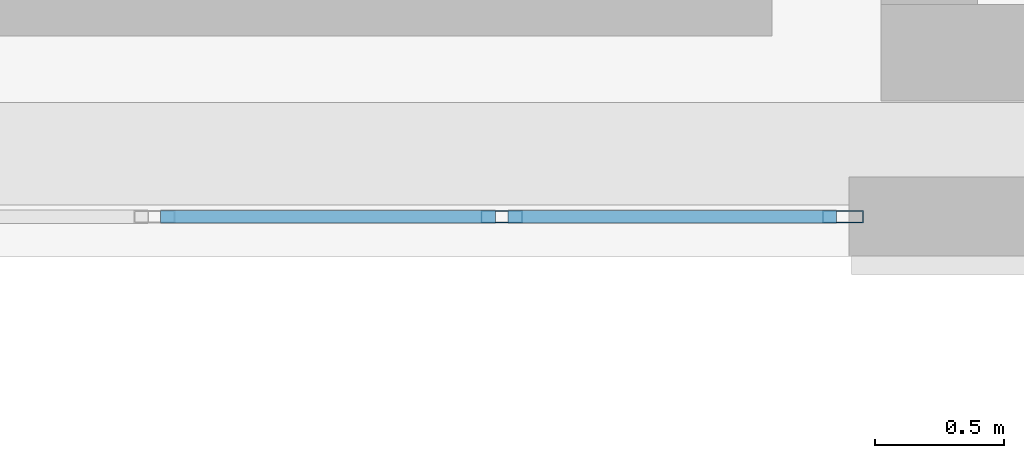
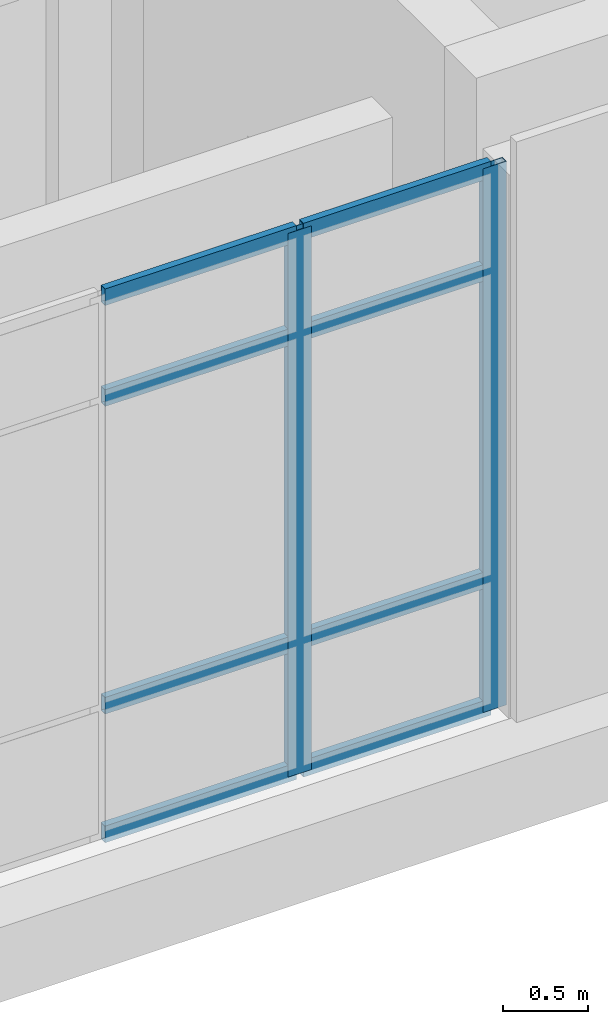
# One storey, part 61 of 193: 10 members, 1 element without a shape of its own.
"""IFC4 building model written with IfcOpenShell, lengths in metres."""

from ifc_helpers import new_model, si_unit, direction, frame, origin, origin_2d, place, context, subcontext, project, spatial, hollow_rectangle, extrude, material, layer, layer_set, material_profile, profile_set, type_object, element, aggregate, save


model = new_model("IFC4")

# Units and contexts
model_context = context("Model", 3, precision=1e-05, world=origin(), true_north=direction((0.0, 1.0)))
body_context = subcontext(model_context, "Body", "Model", "MODEL_VIEW")
ifc_project = project(units=[si_unit("LENGTHUNIT", "METRE"), si_unit("AREAUNIT", "SQUARE_METRE"), si_unit("VOLUMEUNIT", "CUBIC_METRE"), si_unit("PLANEANGLEUNIT", "RADIAN"), si_unit("MASSUNIT", "GRAM", prefix="KILO")], contexts=[model_context])

# Site, building, storey
site_placement = place(None, origin())
site = spatial("IfcSite", under=ifc_project, at=site_placement, CompositionType="ELEMENT")
building_placement = place(site_placement, origin())
building = spatial("IfcBuilding", under=site, at=building_placement, Name="Qalavern Law Courts", CompositionType="ELEMENT")
storey_placement = place(building_placement, frame((0.0, 0.0, 10.199951171875)))
storey = spatial("IfcBuildingStorey", under=building, at=storey_placement, Name="L02", CompositionType="ELEMENT", Elevation=10.199951171875)

# Curtain wall, members
ifc_material_1 = material(Name="Anodised aluminium and insulated glazing", Category="aluminium")
ifc_layer = layer(ifc_material_1, 0.172119140625)
ifc_layer_set = layer_set([ifc_layer], Name="Anodised aluminium and insulated glazing")
curtain_wall_type = type_object("IfcCurtainWallType", Name="ENV-CW-COURT", PredefinedType="USERDEFINED", material=ifc_layer_set)
curtain_wall_placement = place(storey_placement, origin())
curtain_wall = element("IfcCurtainWall", 1, at=curtain_wall_placement, inside=storey, type_object=curtain_wall_type, Name="V4 unitised curtain wall L02 south 1", ObjectType="UNITISED CURTAIN WALL", PredefinedType="USERDEFINED")
ifc_material_2 = material(Name="Anodised aluminium", Category="aluminium")
ifc_material_profile_1 = material_profile(ifc_material_2, hollow_rectangle(XDim=0.048095703125, YDim=0.159912109375, WallThickness=0.00390625, at=origin_2d()), Name="ALU MULLION 48x160")
ifc_profile_set_1 = profile_set([ifc_material_profile_1], Name="Anodised aluminium")
member_type_1 = type_object("IfcMemberType", Name="ENV-CWM-48x160", PredefinedType="MULLION", material=ifc_profile_set_1)
member_1_placement = place(storey_placement, frame((96.35009765625, 41.175048828125, 0.0), z_axis=(0.0, 0.0, 1.0), x_axis=(0.0, 1.0, 0.0)))
member_1 = element("IfcMember", 2, at=member_1_placement, type_object=member_type_1, Name="CW-03 mullion 4", PredefinedType="MULLION", context=body_context, shape_type="SweptSolid", body=[
    extrude(hollow_rectangle(XDim=0.048095703125, YDim=0.159912109375, WallThickness=0.00390625, at=origin_2d()), origin(), (0.0, 0.0, 1.0), 3.9150390625),
])
member_2_placement = place(storey_placement, frame((97.676025390625, 41.175048828125, 0.0), z_axis=(0.0, 0.0, 1.0), x_axis=(0.0, 1.0, 0.0)))
member_2 = element("IfcMember", 3, at=member_2_placement, type_object=member_type_1, Name="CW-03 mullion 5", PredefinedType="MULLION", context=body_context, shape_type="SweptSolid", body=[
    extrude(hollow_rectangle(XDim=0.048095703125, YDim=0.159912109375, WallThickness=0.00390625, at=origin_2d()), origin(), (0.0, 0.0, 1.0), 3.9150390625),
])
ifc_material_profile_2 = material_profile(ifc_material_2, hollow_rectangle(XDim=0.048095703125, YDim=0.1201171875, WallThickness=0.00390625, at=origin_2d()), Name="ALU TRANSOM 48x120")
ifc_profile_set_2 = profile_set([ifc_material_profile_2], Name="Anodised aluminium")
member_type_2 = type_object("IfcMemberType", Name="ENV-CWT-48x120", PredefinedType="USERDEFINED", material=ifc_profile_set_2)
member_3_placement = place(storey_placement, frame((95.02392578125, 41.175048828125, 0.024169921875), z_axis=(1.0, 0.0, 0.0), x_axis=(0.0, 1.0, 0.0)))
member_3 = element("IfcMember", 4, at=member_3_placement, type_object=member_type_2, Name="CW-03 transom 3.1", ObjectType="TRANSOM", PredefinedType="USERDEFINED", context=body_context, shape_type="SweptSolid", body=[
    extrude(hollow_rectangle(XDim=0.048095703125, YDim=0.1201171875, WallThickness=0.00390625, at=origin_2d()), origin(), (0.0, 0.0, 1.0), 1.302001953125),
])
member_4_placement = place(storey_placement, frame((95.02392578125, 41.175048828125, 0.949951171875), z_axis=(1.0, 0.0, 0.0), x_axis=(0.0, 1.0, 0.0)))
member_4 = element("IfcMember", 5, at=member_4_placement, type_object=member_type_2, Name="CW-03 transom 3.2", ObjectType="TRANSOM", PredefinedType="USERDEFINED", context=body_context, shape_type="SweptSolid", body=[
    extrude(hollow_rectangle(XDim=0.048095703125, YDim=0.1201171875, WallThickness=0.00390625, at=origin_2d()), origin(), (0.0, 0.0, 1.0), 1.302001953125),
])
member_5_placement = place(storey_placement, frame((95.02392578125, 41.175048828125, 3.1650390625), z_axis=(1.0, 0.0, 0.0), x_axis=(0.0, 1.0, 0.0)))
member_5 = element("IfcMember", 6, at=member_5_placement, type_object=member_type_2, Name="CW-03 transom 3.3", ObjectType="TRANSOM", PredefinedType="USERDEFINED", context=body_context, shape_type="SweptSolid", body=[
    extrude(hollow_rectangle(XDim=0.048095703125, YDim=0.1201171875, WallThickness=0.00390625, at=origin_2d()), origin(), (0.0, 0.0, 1.0), 1.302001953125),
])
member_6_placement = place(storey_placement, frame((95.02392578125, 41.175048828125, 3.89111328125), z_axis=(1.0, 0.0, 0.0), x_axis=(0.0, 1.0, 0.0)))
member_6 = element("IfcMember", 7, at=member_6_placement, type_object=member_type_2, Name="CW-03 transom 3.4", ObjectType="TRANSOM", PredefinedType="USERDEFINED", context=body_context, shape_type="SweptSolid", body=[
    extrude(hollow_rectangle(XDim=0.048095703125, YDim=0.1201171875, WallThickness=0.00390625, at=origin_2d()), origin(), (0.0, 0.0, 1.0), 1.302001953125),
])
member_7_placement = place(storey_placement, frame((96.3740234375, 41.175048828125, 0.024169921875), z_axis=(1.0, 0.0, 0.0), x_axis=(0.0, 1.0, 0.0)))
member_7 = element("IfcMember", 8, at=member_7_placement, type_object=member_type_2, Name="CW-03 transom 4.1", ObjectType="TRANSOM", PredefinedType="USERDEFINED", context=body_context, shape_type="SweptSolid", body=[
    extrude(hollow_rectangle(XDim=0.048095703125, YDim=0.1201171875, WallThickness=0.00390625, at=origin_2d()), origin(), (0.0, 0.0, 1.0), 1.278076171875),
])
member_8_placement = place(storey_placement, frame((96.3740234375, 41.175048828125, 0.949951171875), z_axis=(1.0, 0.0, 0.0), x_axis=(0.0, 1.0, 0.0)))
member_8 = element("IfcMember", 9, at=member_8_placement, type_object=member_type_2, Name="CW-03 transom 4.2", ObjectType="TRANSOM", PredefinedType="USERDEFINED", context=body_context, shape_type="SweptSolid", body=[
    extrude(hollow_rectangle(XDim=0.048095703125, YDim=0.1201171875, WallThickness=0.00390625, at=origin_2d()), origin(), (0.0, 0.0, 1.0), 1.278076171875),
])
member_9_placement = place(storey_placement, frame((96.3740234375, 41.175048828125, 3.1650390625), z_axis=(1.0, 0.0, 0.0), x_axis=(0.0, 1.0, 0.0)))
member_9 = element("IfcMember", 10, at=member_9_placement, type_object=member_type_2, Name="CW-03 transom 4.3", ObjectType="TRANSOM", PredefinedType="USERDEFINED", context=body_context, shape_type="SweptSolid", body=[
    extrude(hollow_rectangle(XDim=0.048095703125, YDim=0.1201171875, WallThickness=0.00390625, at=origin_2d()), origin(), (0.0, 0.0, 1.0), 1.278076171875),
])
member_10_placement = place(storey_placement, frame((96.3740234375, 41.175048828125, 3.89111328125), z_axis=(1.0, 0.0, 0.0), x_axis=(0.0, 1.0, 0.0)))
member_10 = element("IfcMember", 11, at=member_10_placement, type_object=member_type_2, Name="CW-03 transom 4.4", ObjectType="TRANSOM", PredefinedType="USERDEFINED", context=body_context, shape_type="SweptSolid", body=[
    extrude(hollow_rectangle(XDim=0.048095703125, YDim=0.1201171875, WallThickness=0.00390625, at=origin_2d()), origin(), (0.0, 0.0, 1.0), 1.278076171875),
])
aggregate(curtain_wall, [member_1, member_2, member_3, member_4, member_5, member_6, member_7, member_8, member_9, member_10])

save(model, "model.ifc")
